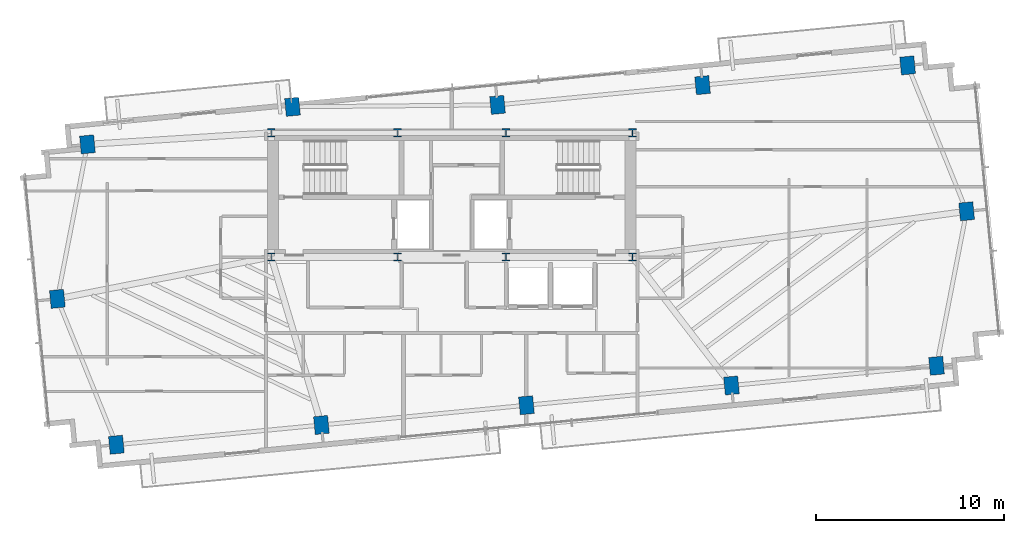
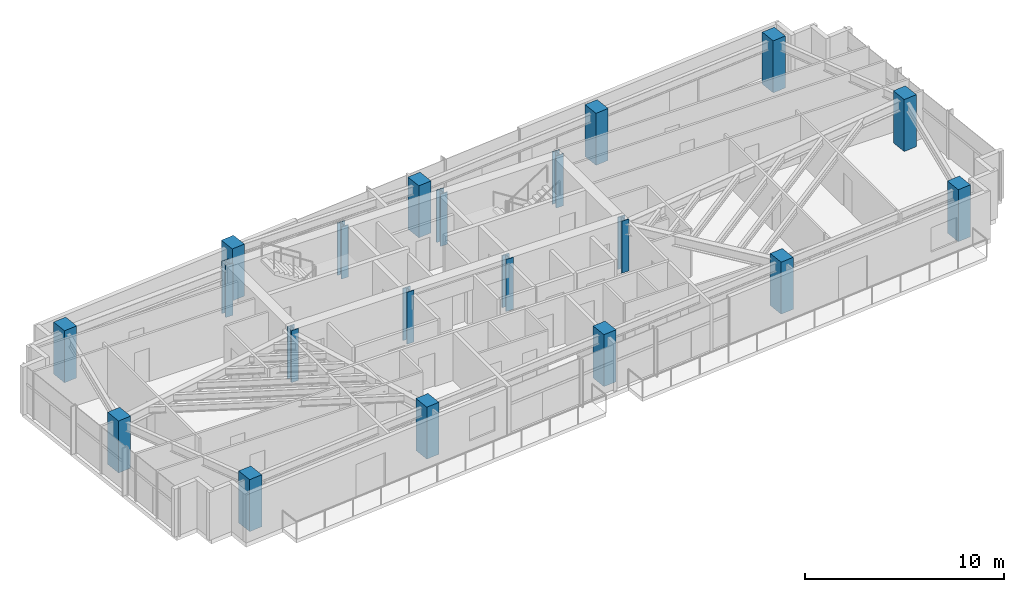
# One storey, part 1 of 18: 20 columns.
"""IFC4 building model written with IfcOpenShell, lengths in metres."""

from ifc_helpers import new_model, si_unit, direction, frame, origin, origin_2d, place, context, subcontext, project, spatial, rectangle, i_section, extrude, source, transform, mapped, material, material_profile, profile_set, type_object, type_shapes, element, save


model = new_model("IFC4")

# Units and contexts
model_context = context("Model", 3, precision=1e-05, world=origin(), true_north=direction((0.0, 1.0)))
body_context = subcontext(model_context, "Body", "Model", "MODEL_VIEW")
ifc_project = project(units=[si_unit("LENGTHUNIT", "METRE"), si_unit("AREAUNIT", "SQUARE_METRE"), si_unit("VOLUMEUNIT", "CUBIC_METRE"), si_unit("PLANEANGLEUNIT", "RADIAN"), si_unit("MASSUNIT", "GRAM", prefix="KILO")], contexts=[model_context])

# Site, building, storey
site_placement = place(None, origin())
site = spatial("IfcSite", under=ifc_project, at=site_placement, CompositionType="ELEMENT")
building_placement = place(site_placement, origin())
building = spatial("IfcBuilding", under=site, at=building_placement, Name="Astriad Promenade Condominiums", CompositionType="ELEMENT")
storey_placement = place(building_placement, frame((0.0, 0.0, 198.60009765625)))
storey = spatial("IfcBuildingStorey", under=building, at=storey_placement, Name="L57", CompositionType="ELEMENT", Elevation=198.60009765625)

# Columns
ifc_material_1 = material(Name="Steel ASTM A992 Grade 50", Category="steel")
ifc_material_profile_1 = material_profile(ifc_material_1, i_section(OverallWidth=0.41552734375, OverallDepth=0.445556640625, WebThickness=0.0390625, FlangeThickness=0.062744140625, FilletRadius=0.017822265625, at=origin_2d()), Name="W14X342")
ifc_profile_set_1 = profile_set([ifc_material_profile_1], Name="Steel ASTM A992 Grade 50")
column_type_1 = type_object("IfcColumnType", Name="STEEL CORE PILASTER W14X342", PredefinedType="PILASTER", material=ifc_profile_set_1)
shared_shape_1 = source(origin(), body_context, "Body", "SweptSolid", [
    extrude(i_section(OverallWidth=0.41552734375, OverallDepth=0.445556640625, WebThickness=0.0390625, FlangeThickness=0.062744140625, FilletRadius=0.017822265625, at=origin_2d()), origin(), (0.0, 0.0, 1.0), 3.196044921875),
])
type_shapes(column_type_1, [shared_shape_1])
for number, where, z_axis, x_axis, name in (
    (1, (26.39990234375, 17.39990234375, 0.001953125), (0.0, 0.0, 1.0), (1.0, 0.0, 0.0), "Core Pilaster Column CP1 (L57)"),
    (2, (33.1201171875, 17.39990234375, 0.001953125), (0.0, 0.0, 1.0), (1.0, 0.0, 0.0), "Core Pilaster Column CP2 (L57)"),
    (3, (38.8798828125, 17.39990234375, 0.001953125), (0.0, 0.0, 1.0), (1.0, 0.0, 0.0), "Core Pilaster Column CP3 (L57)"),
    (4, (45.60009765625, 17.39990234375, 0.001953125), (0.0, 0.0, 1.0), (1.0, 0.0, 0.0), "Core Pilaster Column CP4 (L57)"),
    (5, (26.39990234375, 24.0, 0.001953125), (0.0, 0.0, 1.0), (1.0, 0.0, 0.0), "Core Pilaster Column CP5 (L57)"),
    (6, (33.1201171875, 24.0, 0.001953125), (0.0, 0.0, 1.0), (1.0, 0.0, 0.0), "Core Pilaster Column CP6 (L57)"),
    (7, (38.8798828125, 24.0, 0.001953125), (0.0, 0.0, 1.0), (1.0, 0.0, 0.0), "Core Pilaster Column CP7 (L57)"),
    (8, (45.60009765625, 24.0, 0.001953125), (0.0, 0.0, 1.0), (1.0, 0.0, 0.0), "Core Pilaster Column CP8 (L57)"),
):
    element("IfcColumn", number, at=place(storey_placement, frame(where, z_axis=z_axis, x_axis=x_axis)), inside=storey, type_object=column_type_1, Name=name, PredefinedType="PILASTER", context=body_context, shape_type="MappedRepresentation", body=[
        mapped(shared_shape_1, transform((0.0, 0.0, 0.0), scale=1.0)),
    ])
ifc_material_2 = material(Name="Concrete C50/60", Category="concrete")
ifc_material_profile_2 = material_profile(ifc_material_2, rectangle(XDim=0.75, YDim=0.949951171875, at=origin_2d()), Name="RC-COL-950X750")
ifc_profile_set_2 = profile_set([ifc_material_profile_2], Name="Concrete C50/60")
column_type_2 = type_object("IfcColumnType", Name="CONCRETE TOWER COLUMN 950X750", PredefinedType="COLUMN", material=ifc_profile_set_2)
shared_shape_2 = source(origin(), body_context, "Body", "SweptSolid", [
    extrude(rectangle(XDim=0.75, YDim=0.949951171875, at=origin_2d()), origin(), (0.0, 0.0, 1.0), 3.196044921875),
])
type_shapes(column_type_2, [shared_shape_2])
for number, where, z_axis, x_axis, name in (
    (9, (18.16943359375, 7.41796875, 0.001953125), (0.0, 0.0, 1.0), (0.995396198367, 0.09584575252, 0.0), "Perimeter Column PC01 (L57)"),
    (10, (29.069091796875, 8.46728515625, 0.001953125), (0.0, 0.0, 1.0), (0.995396198367, 0.09584575252, 0.0), "Perimeter Column PC02 (L57)"),
    (11, (39.96875, 9.516845703125, 0.001953125), (0.0, 0.0, 1.0), (0.995396198367, 0.09584575252, 0.0), "Perimeter Column PC03 (L57)"),
    (12, (50.868408203125, 10.56640625, 0.001953125), (0.0, 0.0, 1.0), (0.995396198367, 0.09584575252, 0.0), "Perimeter Column PC04 (L57)"),
    (13, (61.767822265625, 11.615966796875, 0.001953125), (0.0, 0.0, 1.0), (0.995396198367, 0.09584575252, 0.0), "Perimeter Column PC05 (L57)"),
    (14, (16.632080078125, 23.384033203125, 0.001953125), (0.0, 0.0, 1.0), (0.995396198367, 0.09584575252, 0.0), "Perimeter Column PC06 (L57)"),
    (15, (27.53173828125, 25.3798828125, 0.001953125), (0.0, 0.0, 1.0), (0.995396198367, 0.09584575252, 0.0), "Perimeter Column PC07 (L57)"),
    (16, (38.431396484375, 25.483154296875, 0.001953125), (0.0, 0.0, 1.0), (0.995396198367, 0.09584575252, 0.0), "Perimeter Column PC08 (L57)"),
    (17, (49.330810546875, 26.53271484375, 0.001953125), (0.0, 0.0, 1.0), (0.995396198367, 0.09584575252, 0.0), "Perimeter Column PC09 (L57)"),
    (18, (60.23046875, 27.58203125, 0.001953125), (0.0, 0.0, 1.0), (0.995396198367, 0.09584575252, 0.0), "Perimeter Column PC10 (L57)"),
    (19, (15.03173828125, 15.1728515625, 0.001953125), (0.0, 0.0, 1.0), (0.995396198367, 0.09584575252, 0.0), "Perimeter Column PC11 (L57)"),
    (20, (63.3681640625, 19.8271484375, 0.001953125), (0.0, 0.0, 1.0), (0.995396198367, 0.09584575252, 0.0), "Perimeter Column PC12 (L57)"),
):
    element("IfcColumn", number, at=place(storey_placement, frame(where, z_axis=z_axis, x_axis=x_axis)), inside=storey, type_object=column_type_2, Name=name, PredefinedType="COLUMN", context=body_context, shape_type="MappedRepresentation", body=[
        mapped(shared_shape_2, transform((0.0, 0.0, 0.0), scale=1.0)),
    ])

save(model, "model.ifc")
